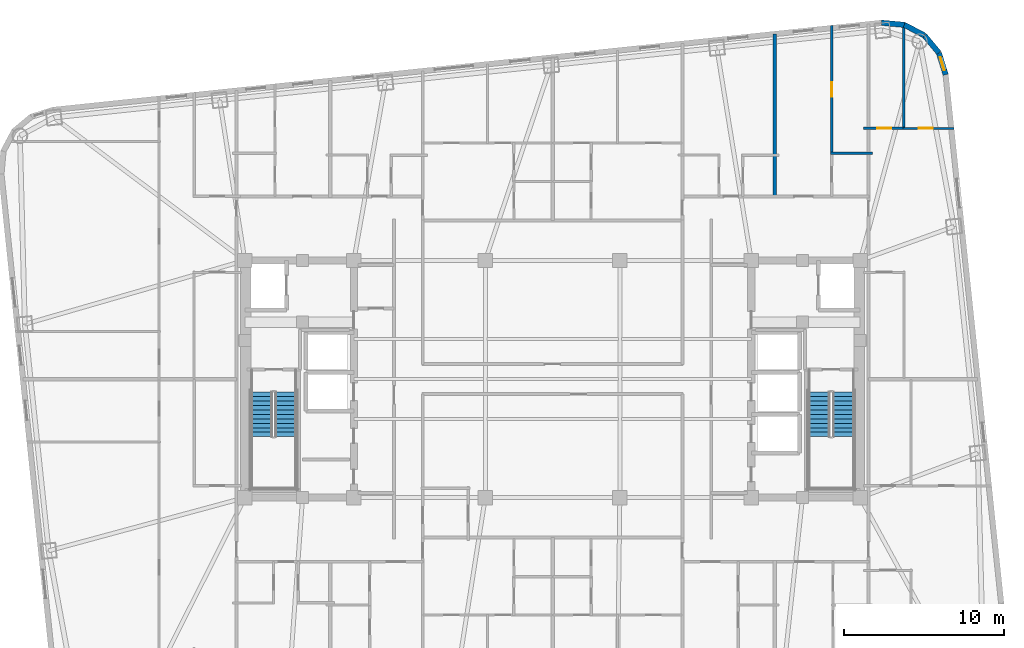
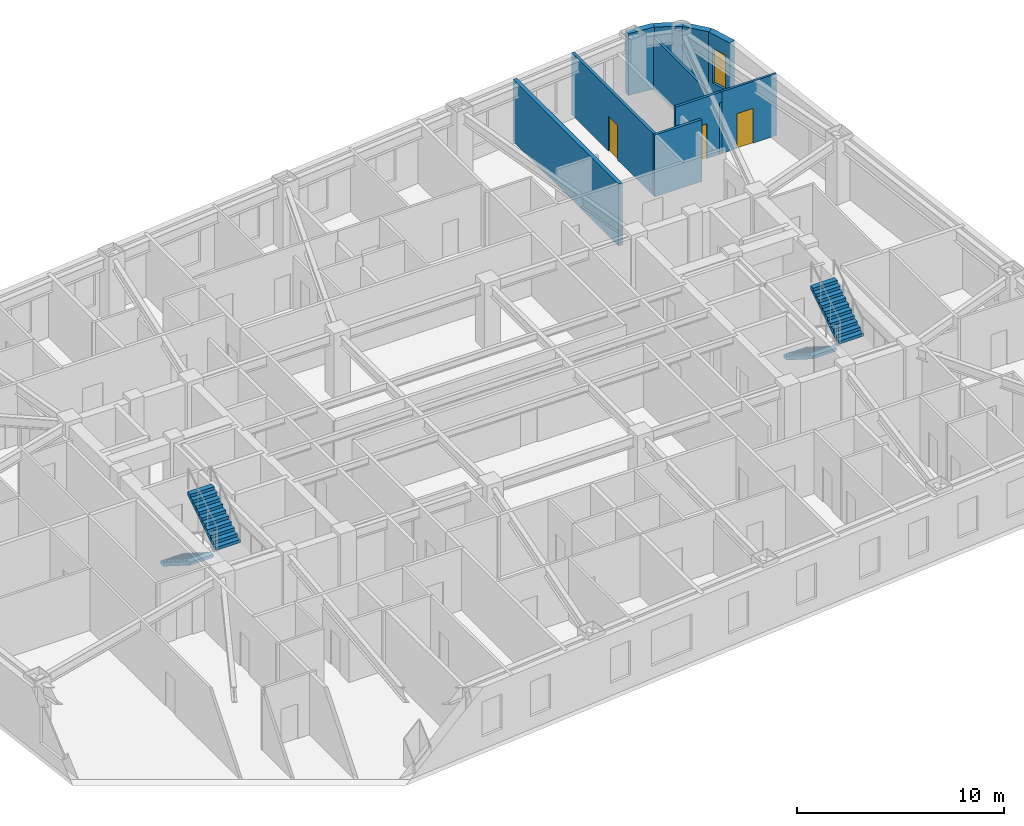
# One storey, part 10 of 12: 10 walls, 4 stair flights, 3 doors, 1 window, 4 openings, 2 elements without a shape of their own.
"""IFC4 building model written with IfcOpenShell, lengths in metres."""

from ifc_helpers import new_model, si_unit, direction, frame, frame_2d, origin, place, context, subcontext, project, spatial, polyline, rectangle, outline, extrude, material, layer, layer_set, type_object, element, fill, aggregate, save


model = new_model("IFC4")

# Units and contexts
model_context = context("Model", 3, precision=1e-05, world=origin(), true_north=direction((0.0, 1.0)))
body_context = subcontext(model_context, "Body", "Model", "MODEL_VIEW")
ifc_project = project(units=[si_unit("LENGTHUNIT", "METRE"), si_unit("AREAUNIT", "SQUARE_METRE"), si_unit("VOLUMEUNIT", "CUBIC_METRE"), si_unit("PLANEANGLEUNIT", "RADIAN"), si_unit("MASSUNIT", "GRAM", prefix="KILO")], contexts=[model_context])

# Site, building, storey
site_placement = place(None, origin())
site = spatial("IfcSite", under=ifc_project, at=site_placement, CompositionType="ELEMENT")
building_placement = place(site_placement, origin())
building = spatial("IfcBuilding", under=site, at=building_placement, Name="Voryun Gate Residences", CompositionType="ELEMENT")
storey_placement = place(building_placement, frame((0.0, 0.0, 152.10009765625)))
storey = spatial("IfcBuildingStorey", under=building, at=storey_placement, Name="L37", CompositionType="ELEMENT", Elevation=152.10009765625)

# Walls
ifc_material_1 = material(Name="Charcoal terracotta masonry", Category="masonry")
ifc_layer_1 = layer(ifc_material_1, 0.340087890625, Name="W_EXT_TERRACOTTA_340")
ifc_layer_set_1 = layer_set([ifc_layer_1], Name="Charcoal terracotta masonry")
wall_type_1 = type_object("IfcWallType", Name="W_EXT_TERRACOTTA_340", PredefinedType="ELEMENTEDWALL", material=ifc_layer_set_1)
wall_1_placement = place(storey_placement, frame((20.5263671875, 22.235107421875, 0.0), z_axis=(0.0, 0.0, 1.0), x_axis=(0.995800460351, -0.091550222087, 0.0)))
element("IfcWall", 1, at=wall_1_placement, inside=storey, type_object=wall_type_1, Name="Exterior wall WEXT-L37-12", PredefinedType="ELEMENTEDWALL", context=body_context, shape_type="SweptSolid", body=[
    extrude(rectangle(XDim=1.43212890625, YDim=0.340087890625, at=frame_2d((0.716064453125, 0.0))), origin(), (0.0, 0.0, 1.0), 3.64990234375),
])
wall_2_placement = place(storey_placement, frame((21.952392578125, 22.10400390625, 0.0), z_axis=(0.0, 0.0, 1.0), x_axis=(0.885023004245, -0.465547292933, 0.0)))
element("IfcWall", 2, at=wall_2_placement, inside=storey, type_object=wall_type_1, Name="Exterior wall WEXT-L37-13", PredefinedType="ELEMENTEDWALL", context=body_context, shape_type="SweptSolid", body=[
    extrude(rectangle(XDim=1.414794921875, YDim=0.340087890625, at=frame_2d((0.70751953125, 0.0))), origin(), (0.0, 0.0, 1.0), 3.64990234375),
])
wall_3_placement = place(storey_placement, frame((23.20458984375, 21.4453125, 0.0), z_axis=(0.0, 0.0, 1.0), x_axis=(0.639539337522, -0.768758372808, 0.0)))
element("IfcWall", 3, at=wall_3_placement, inside=storey, type_object=wall_type_1, Name="Exterior wall WEXT-L37-14", PredefinedType="ELEMENTEDWALL", context=body_context, shape_type="SweptSolid", body=[
    extrude(rectangle(XDim=1.4150390625, YDim=0.340087890625, at=frame_2d((0.70751953125, 0.0))), origin(), (0.0, 0.0, 1.0), 3.64990234375),
])

# Wall, opening, window
wall_4_placement = place(storey_placement, frame((24.109619140625, 20.357421875, 0.0), z_axis=(0.0, 0.0, 1.0), x_axis=(0.296420660287, -0.955057481074, 0.0)))
wall_4 = element("IfcWall", 4, at=wall_4_placement, inside=storey, type_object=wall_type_1, Name="Exterior wall WEXT-L37-15", PredefinedType="ELEMENTEDWALL", context=body_context, shape_type="SweptSolid", body=[
    extrude(rectangle(XDim=1.432373046875, YDim=0.340087890625, at=frame_2d((0.71630859375, 0.0))), origin(), (0.0, 0.0, 1.0), 3.64990234375),
])
opening_1_placement = place(wall_4_placement, frame((0.291015625, 0.0, 0.75)))
opening_1 = element("IfcOpeningElement", 5, at=opening_1_placement, cuts=wall_4, Name="Opening WN9", PredefinedType="OPENING", context=body_context, shape_type="SweptSolid", body=[
    extrude(rectangle(XDim=0.85009765625, YDim=2.050048828125, at=frame_2d((0.425048828125, 1.02490234375))), frame((0.0, 0.179931640625, 0.0), z_axis=(0.0, -1.0, 0.0), x_axis=(1.0, 0.0, 0.0)), (0.0, 0.0, 1.0), 0.360107421875),
])
ifc_material_2 = material(Name="Laminated low-E glass", Category="glass")
window_type = type_object("IfcWindowType", Name="WN_RES_CASEMENT_850", PartitioningType="SINGLE_PANEL", PredefinedType="WINDOW", material=ifc_material_2)
window_placement = place(opening_1_placement, origin())
window = element("IfcWindow", 6, at=window_placement, inside=storey, type_object=window_type, Name="Window WN-L37-DWFIX-28", OverallHeight=2.050048828125, OverallWidth=0.85009765625, PartitioningType="SINGLE_PANEL", PredefinedType="WINDOW", context=body_context, shape_type="SweptSolid", body=[
    extrude(rectangle(XDim=0.85009765625, YDim=2.050048828125, at=frame_2d((0.425048828125, 1.02490234375))), frame((0.0, 0.030029296875, 0.0), z_axis=(0.0, -1.0, 0.0), x_axis=(1.0, 0.0, 0.0)), (0.0, 0.0, 1.0), 0.06005859375),
])
fill(opening_1, window)

# Wall
ifc_material_3 = material(Name="Concrete C40/50", Category="concrete")
ifc_layer_2 = layer(ifc_material_3, 0.219970703125, Name="W_PARTY_ACOUSTIC_220")
ifc_layer_set_2 = layer_set([ifc_layer_2], Name="Concrete C40/50")
wall_type_2 = type_object("IfcWallType", Name="W_PARTY_ACOUSTIC_220", PredefinedType="PARTITIONING", material=ifc_layer_set_2)
wall_5_placement = place(storey_placement, frame((13.864990234375, 11.320068359375, 0.0), z_axis=(0.0, 0.0, 1.0), x_axis=(0.0, 1.0, 0.0)))
element("IfcWall", 7, at=wall_5_placement, inside=storey, type_object=wall_type_2, Name="Partition wall WP-L37-NPTY-4", PredefinedType="PARTITIONING", context=body_context, shape_type="SweptSolid", body=[
    extrude(rectangle(XDim=10.21484375, YDim=0.219970703125, at=frame_2d((5.107421875, 0.0))), origin(), (0.0, 0.0, 1.0), 3.64990234375),
])

# Wall, opening, door
ifc_material_4 = material(Name="Gypsum acoustic partition")
ifc_layer_3 = layer(ifc_material_4, 0.125, Name="W_UNIT_PART_125")
ifc_layer_set_3 = layer_set([ifc_layer_3], Name="Gypsum acoustic partition")
wall_type_3 = type_object("IfcWallType", Name="W_UNIT_PART_125", PredefinedType="PARTITIONING", material=ifc_layer_set_3)
wall_6_placement = place(storey_placement, frame((21.860107421875, 15.64208984375, 0.0), z_axis=(0.0, 0.0, 1.0), x_axis=(1.0, 0.0, 0.0)))
wall_6 = element("IfcWall", 8, at=wall_6_placement, inside=storey, type_object=wall_type_3, Name="Partition wall WP-L37-E2-OHZ", PredefinedType="PARTITIONING", context=body_context, shape_type="SweptSolid", body=[
    extrude(rectangle(XDim=3.1767578125, YDim=0.125, at=frame_2d((1.58837890625, 0.0))), origin(), (0.0, 0.0, 1.0), 3.64990234375),
])
opening_2_placement = place(wall_6_placement, frame((0.9794921875, 0.0, 0.0)))
opening_2 = element("IfcOpeningElement", 9, at=opening_2_placement, cuts=wall_6, Name="Opening D-INT-2", PredefinedType="OPENING", context=body_context, shape_type="SweptSolid", body=[
    extrude(rectangle(XDim=0.89990234375, YDim=2.050048828125, at=frame_2d((0.449951171875, 1.02490234375))), frame((0.0, 0.072509765625, 0.0), z_axis=(0.0, -1.0, 0.0), x_axis=(1.0, 0.0, 0.0)), (0.0, 0.0, 1.0), 0.14501953125),
])
ifc_material_5 = material(Name="Architectural oak veneer")
door_type = type_object("IfcDoorType", Name="DR_INT_BATH_900", OperationType="NOTDEFINED", PredefinedType="DOOR", material=ifc_material_5)
door_1_placement = place(opening_2_placement, origin())
door_1 = element("IfcDoor", 10, at=door_1_placement, inside=storey, type_object=door_type, Name="Door DR-L37-E2-DMB", OperationType="SINGLE_SWING_LEFT", OverallHeight=2.050048828125, OverallWidth=0.89990234375, PredefinedType="DOOR", context=body_context, shape_type="SweptSolid", body=[
    extrude(rectangle(XDim=0.89990234375, YDim=2.050048828125, at=frame_2d((0.449951171875, 1.02490234375))), frame((0.0, 0.02490234375, 0.0), z_axis=(0.0, -1.0, 0.0), x_axis=(1.0, 0.0, 0.0)), (0.0, 0.0, 1.0), 0.050048828125),
])
fill(opening_2, door_1)

# Wall
ifc_material_6 = material(Name="Gypsum moisture-resistant partition")
ifc_layer_4 = layer(ifc_material_6, 0.14990234375, Name="W_WET_PLUMB_150")
ifc_layer_set_4 = layer_set([ifc_layer_4], Name="Gypsum moisture-resistant partition")
wall_type_4 = type_object("IfcWallType", Name="W_WET_PLUMB_150", PredefinedType="PLUMBINGWALL", material=ifc_layer_set_4)
wall_7_placement = place(storey_placement, frame((17.3369140625, 14.10009765625, 0.0), z_axis=(0.0, 0.0, 1.0), x_axis=(1.0, 0.0, 0.0)))
element("IfcWall", 11, at=wall_7_placement, inside=storey, type_object=wall_type_4, Name="Partition wall WP-L37-N5-SKB", PredefinedType="PLUMBINGWALL", context=body_context, shape_type="SweptSolid", body=[
    extrude(rectangle(XDim=2.633056640625, YDim=0.14990234375, at=frame_2d((1.31640625, 0.0))), origin(), (0.0, 0.0, 1.0), 3.64990234375),
])

# Wall, opening, door
wall_8_placement = place(storey_placement, frame((17.4169921875, 14.06005859375, 0.0), z_axis=(0.0, 0.0, 1.0), x_axis=(0.0, 1.0, 0.0)))
wall_8 = element("IfcWall", 12, at=wall_8_placement, inside=storey, type_object=wall_type_4, Name="Partition wall WP-L37-N5-SVT2", PredefinedType="PLUMBINGWALL", context=body_context, shape_type="SweptSolid", body=[
    extrude(rectangle(XDim=7.9990234375, YDim=0.14990234375, at=frame_2d((3.99951171875, 0.0))), origin(), (0.0, 0.0, 1.0), 3.64990234375),
])
opening_3_placement = place(wall_8_placement, frame((3.549560546875, 0.0, 0.0)))
opening_3 = element("IfcOpeningElement", 13, at=opening_3_placement, cuts=wall_8, Name="Opening D-INT-2", PredefinedType="OPENING", context=body_context, shape_type="SweptSolid", body=[
    extrude(rectangle(XDim=0.89990234375, YDim=2.050048828125, at=frame_2d((0.449951171875, 1.02490234375))), frame((0.0, 0.0849609375, 0.0), z_axis=(0.0, -1.0, 0.0), x_axis=(1.0, 0.0, 0.0)), (0.0, 0.0, 1.0), 0.169921875),
])
door_2_placement = place(opening_3_placement, origin())
door_2 = element("IfcDoor", 14, at=door_2_placement, inside=storey, type_object=door_type, Name="Door DR-L37-N5-DK", OperationType="SINGLE_SWING_RIGHT", OverallHeight=2.050048828125, OverallWidth=0.89990234375, PredefinedType="DOOR", context=body_context, shape_type="SweptSolid", body=[
    extrude(rectangle(XDim=0.89990234375, YDim=2.050048828125, at=frame_2d((0.449951171875, 1.02490234375))), frame((0.0, 0.02490234375, 0.0), z_axis=(0.0, -1.0, 0.0), x_axis=(1.0, 0.0, 0.0)), (0.0, 0.0, 1.0), 0.050048828125),
])
fill(opening_3, door_2)

wall_9_placement = place(storey_placement, frame((19.39990234375, 15.64208984375, 0.0), z_axis=(0.0, 0.0, 1.0), x_axis=(1.0, 0.0, 0.0)))
wall_9 = element("IfcWall", 15, at=wall_9_placement, inside=storey, type_object=wall_type_4, Name="Partition wall WP-L37-E2-IBB", PredefinedType="PLUMBINGWALL", context=body_context, shape_type="SweptSolid", body=[
    extrude(rectangle(XDim=2.60009765625, YDim=0.14990234375, at=frame_2d((1.300048828125, 0.0))), origin(), (0.0, 0.0, 1.0), 3.64990234375),
])
opening_4_placement = place(wall_9_placement, frame((0.85009765625, 0.0, 0.0)))
opening_4 = element("IfcOpeningElement", 16, at=opening_4_placement, cuts=wall_9, Name="Opening D-INT-2", PredefinedType="OPENING", context=body_context, shape_type="SweptSolid", body=[
    extrude(rectangle(XDim=0.89990234375, YDim=2.050048828125, at=frame_2d((0.449951171875, 1.02490234375))), frame((0.0, 0.0849609375, 0.0), z_axis=(0.0, -1.0, 0.0), x_axis=(1.0, 0.0, 0.0)), (0.0, 0.0, 1.0), 0.169921875),
])
door_3_placement = place(opening_4_placement, origin())
door_3 = element("IfcDoor", 17, at=door_3_placement, inside=storey, type_object=door_type, Name="Door DR-L37-E2-DB", OperationType="SINGLE_SWING_RIGHT", OverallHeight=2.050048828125, OverallWidth=0.89990234375, PredefinedType="DOOR", context=body_context, shape_type="SweptSolid", body=[
    extrude(rectangle(XDim=0.89990234375, YDim=2.050048828125, at=frame_2d((0.449951171875, 1.02490234375))), frame((0.0, 0.02490234375, 0.0), z_axis=(0.0, -1.0, 0.0), x_axis=(1.0, 0.0, 0.0)), (0.0, 0.0, 1.0), 0.050048828125),
])
fill(opening_4, door_3)

# Wall
wall_10_placement = place(storey_placement, frame((21.919921875, 15.56201171875, 0.0), z_axis=(0.0, 0.0, 1.0), x_axis=(0.0, 1.0, 0.0)))
element("IfcWall", 18, at=wall_10_placement, inside=storey, type_object=wall_type_4, Name="Partition wall WP-L37-E2-VTB", PredefinedType="PLUMBINGWALL", context=body_context, shape_type="SweptSolid", body=[
    extrude(rectangle(XDim=6.69580078125, YDim=0.14990234375, at=frame_2d((3.347900390625, 0.0))), origin(), (0.0, 0.0, 1.0), 3.039794921875),
])

# Stair, stair flights
ifc_material_7 = material(Name="Concrete C40/50", Category="concrete")
stair_type = type_object("IfcStairType", Name="STR_CORE_DOGLEG_1350", PredefinedType="HALF_TURN_STAIR", material=ifc_material_7)
stair_1_placement = place(storey_placement, origin())
stair_1 = element("IfcStair", 19, at=stair_1_placement, inside=storey, type_object=stair_type, Name="L37 Special Escape Stair ST-W1", PredefinedType="HALF_TURN_STAIR")
ifc_material_8 = material(Name="Concrete C40/50", Category="concrete")
stair_flight_type = type_object("IfcStairFlightType", Name="FLT_CORE_1350", PredefinedType="STRAIGHT", material=ifc_material_8)
stair_flight_1_placement = place(storey_placement, frame((-18.14990234375, -0.800048828125, 0.0), z_axis=(0.0, 0.0, 1.0), x_axis=(0.0, -1.0, 0.0)))
stair_flight_1 = element("IfcStairFlight", 20, at=stair_flight_1_placement, type_object=stair_flight_type, Name="ST-W1 flight 1", NumberOfRisers=11, NumberOfTreads=10, PredefinedType="STRAIGHT", RiserHeight=0.177272727, TreadLength=0.28, context=body_context, shape_type="SweptSolid", body=[
    extrude(outline(polyline([(0.0, 0.0), (0.0, 0.17724609375), (0.280029296875, 0.17724609375), (0.280029296875, 0.3544921875), (0.56005859375, 0.3544921875), (0.56005859375, 0.53173828125), (0.840087890625, 0.53173828125), (0.840087890625, 0.708984375), (1.1201171875, 0.708984375), (1.1201171875, 0.886474609375), (1.39990234375, 0.886474609375), (1.39990234375, 1.063720703125), (1.679931640625, 1.063720703125), (1.679931640625, 1.240966796875), (1.9599609375, 1.240966796875), (1.9599609375, 1.418212890625), (2.239990234375, 1.418212890625), (2.239990234375, 1.595458984375), (2.52001953125, 1.595458984375), (2.52001953125, 1.772705078125), (2.800048828125, 1.772705078125), (2.800048828125, 1.949951171875), (2.800048828125, 1.59521484375), (0.2802734375, 0.0), (0.0, 0.0)])), frame((0.0, 0.675048828125, 0.0), z_axis=(0.0, -1.0, 0.0), x_axis=(1.0, 0.0, 0.0)), (0.0, 0.0, 1.0), 1.35009765625),
])
stair_flight_2_placement = place(storey_placement, frame((-16.64990234375, -3.60009765625, 1.949951171875), z_axis=(0.0, 0.0, 1.0), x_axis=(0.0, 1.0, 0.0)))
stair_flight_2 = element("IfcStairFlight", 21, at=stair_flight_2_placement, type_object=stair_flight_type, Name="ST-W1 flight 2", NumberOfRisers=11, NumberOfTreads=10, PredefinedType="STRAIGHT", RiserHeight=0.177272727, TreadLength=0.28, context=body_context, shape_type="SweptSolid", body=[
    extrude(outline(polyline([(0.0, 0.0), (0.0, 0.17724609375), (0.280029296875, 0.17724609375), (0.280029296875, 0.3544921875), (0.56005859375, 0.3544921875), (0.56005859375, 0.53173828125), (0.840087890625, 0.53173828125), (0.840087890625, 0.708984375), (1.1201171875, 0.708984375), (1.1201171875, 0.886474609375), (1.39990234375, 0.886474609375), (1.39990234375, 1.063720703125), (1.679931640625, 1.063720703125), (1.679931640625, 1.240966796875), (1.9599609375, 1.240966796875), (1.9599609375, 1.418212890625), (2.239990234375, 1.418212890625), (2.239990234375, 1.595458984375), (2.52001953125, 1.595458984375), (2.52001953125, 1.772705078125), (2.800048828125, 1.772705078125), (2.800048828125, 1.949951171875), (2.800048828125, 1.59521484375), (0.2802734375, 0.0), (0.0, 0.0)])), frame((0.0, 0.675048828125, 0.0), z_axis=(0.0, -1.0, 0.0), x_axis=(1.0, 0.0, 0.0)), (0.0, 0.0, 1.0), 1.35009765625),
])
aggregate(stair_1, [stair_flight_1, stair_flight_2])

stair_2_placement = place(storey_placement, origin())
stair_2 = element("IfcStair", 22, at=stair_2_placement, inside=storey, type_object=stair_type, Name="L37 Special Escape Stair ST-E1", PredefinedType="HALF_TURN_STAIR")
stair_flight_3_placement = place(storey_placement, frame((16.64990234375, -0.800048828125, 0.0), z_axis=(0.0, 0.0, 1.0), x_axis=(0.0, -1.0, 0.0)))
stair_flight_3 = element("IfcStairFlight", 23, at=stair_flight_3_placement, type_object=stair_flight_type, Name="ST-E1 flight 1", NumberOfRisers=11, NumberOfTreads=10, PredefinedType="STRAIGHT", RiserHeight=0.177272727, TreadLength=0.28, context=body_context, shape_type="SweptSolid", body=[
    extrude(outline(polyline([(0.0, 0.0), (0.0, 0.17724609375), (0.280029296875, 0.17724609375), (0.280029296875, 0.3544921875), (0.56005859375, 0.3544921875), (0.56005859375, 0.53173828125), (0.840087890625, 0.53173828125), (0.840087890625, 0.708984375), (1.1201171875, 0.708984375), (1.1201171875, 0.886474609375), (1.39990234375, 0.886474609375), (1.39990234375, 1.063720703125), (1.679931640625, 1.063720703125), (1.679931640625, 1.240966796875), (1.9599609375, 1.240966796875), (1.9599609375, 1.418212890625), (2.239990234375, 1.418212890625), (2.239990234375, 1.595458984375), (2.52001953125, 1.595458984375), (2.52001953125, 1.772705078125), (2.800048828125, 1.772705078125), (2.800048828125, 1.949951171875), (2.800048828125, 1.59521484375), (0.2802734375, 0.0), (0.0, 0.0)])), frame((0.0, 0.675048828125, 0.0), z_axis=(0.0, -1.0, 0.0), x_axis=(1.0, 0.0, 0.0)), (0.0, 0.0, 1.0), 1.35009765625),
])
stair_flight_4_placement = place(storey_placement, frame((18.14990234375, -3.60009765625, 1.949951171875), z_axis=(0.0, 0.0, 1.0), x_axis=(0.0, 1.0, 0.0)))
stair_flight_4 = element("IfcStairFlight", 24, at=stair_flight_4_placement, type_object=stair_flight_type, Name="ST-E1 flight 2", NumberOfRisers=11, NumberOfTreads=10, PredefinedType="STRAIGHT", RiserHeight=0.177272727, TreadLength=0.28, context=body_context, shape_type="SweptSolid", body=[
    extrude(outline(polyline([(0.0, 0.0), (0.0, 0.17724609375), (0.280029296875, 0.17724609375), (0.280029296875, 0.3544921875), (0.56005859375, 0.3544921875), (0.56005859375, 0.53173828125), (0.840087890625, 0.53173828125), (0.840087890625, 0.708984375), (1.1201171875, 0.708984375), (1.1201171875, 0.886474609375), (1.39990234375, 0.886474609375), (1.39990234375, 1.063720703125), (1.679931640625, 1.063720703125), (1.679931640625, 1.240966796875), (1.9599609375, 1.240966796875), (1.9599609375, 1.418212890625), (2.239990234375, 1.418212890625), (2.239990234375, 1.595458984375), (2.52001953125, 1.595458984375), (2.52001953125, 1.772705078125), (2.800048828125, 1.772705078125), (2.800048828125, 1.949951171875), (2.800048828125, 1.59521484375), (0.2802734375, 0.0), (0.0, 0.0)])), frame((0.0, 0.675048828125, 0.0), z_axis=(0.0, -1.0, 0.0), x_axis=(1.0, 0.0, 0.0)), (0.0, 0.0, 1.0), 1.35009765625),
])
aggregate(stair_2, [stair_flight_3, stair_flight_4])

save(model, "model.ifc")
